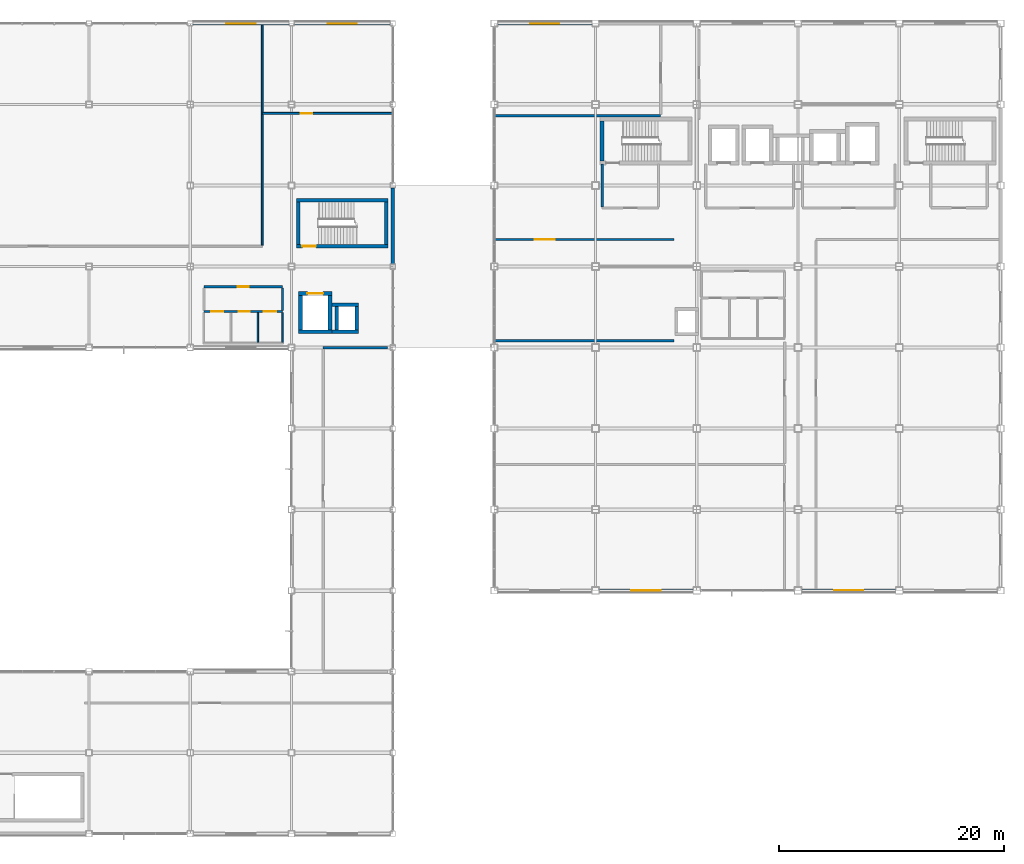
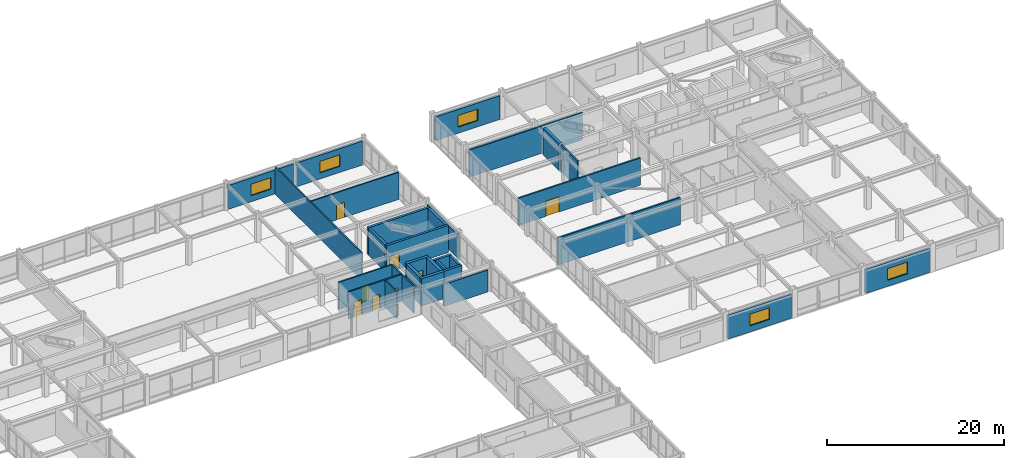
# One storey, part 97 of 113: 31 walls, 8 doors, 5 windows, 13 openings.
"""IFC4 building model written with IfcOpenShell, lengths in metres."""

from ifc_helpers import new_model, si_unit, direction, frame, frame_2d, origin, place, context, subcontext, project, spatial, rectangle, extrude, material, layer, layer_set, type_object, element, fill, save


model = new_model("IFC4")

# Units and contexts
model_context = context("Model", 3, precision=1e-05, world=origin(), true_north=direction((0.0, 1.0)))
body_context = subcontext(model_context, "Body", "Model", "MODEL_VIEW")
ifc_project = project(units=[si_unit("LENGTHUNIT", "METRE"), si_unit("AREAUNIT", "SQUARE_METRE"), si_unit("VOLUMEUNIT", "CUBIC_METRE"), si_unit("PLANEANGLEUNIT", "RADIAN"), si_unit("MASSUNIT", "GRAM", prefix="KILO")], contexts=[model_context])

# Site, building, storey
site_placement = place(None, origin())
site = spatial("IfcSite", under=ifc_project, at=site_placement, CompositionType="ELEMENT")
building_placement = place(site_placement, origin())
building = spatial("IfcBuilding", under=site, at=building_placement, Name="Kazanami Central Library", CompositionType="ELEMENT")
storey_placement = place(building_placement, frame((0.0, 0.0, 8.800048828125)))
storey = spatial("IfcBuildingStorey", under=building, at=storey_placement, Name="L03", CompositionType="ELEMENT", Elevation=8.800048828125)

# Wall
ifc_material_1 = material(Name="Concrete Fc36 (36 MPa)", Category="concrete")
ifc_layer_1 = layer(ifc_material_1, 0.219970703125, Name="Concrete Fc36 (36 MPa)")
ifc_material_2 = material(Name="Extruded Polystyrene XPS", Category="earth")
ifc_layer_2 = layer(ifc_material_2, 0.050048828125, Name="Extruded Polystyrene XPS")
ifc_material_3 = material(Name="Honed Inada Granite", Category="masonry")
ifc_layer_3 = layer(ifc_material_3, 0.030029296875, Name="Honed Inada Granite")
ifc_layer_set_1 = layer_set([ifc_layer_1, ifc_layer_2, ifc_layer_3], Name="Concrete Fc36 (36 MPa)")
wall_type_1 = type_object("IfcWallType", Name="WAL-EW-300", PredefinedType="STANDARD", material=ifc_layer_set_1)
wall_1_placement = place(storey_placement, frame((108.0, 78.97509765625, 0.0), z_axis=(0.0, 0.0, 1.0), x_axis=(0.0, -1.0, 0.0)))
element("IfcWall", 1, at=wall_1_placement, inside=storey, type_object=wall_type_1, Name="Exterior Facade Wall EW-300 L03 E-13-10", PredefinedType="STANDARD", context=body_context, shape_type="SweptSolid", body=[
    extrude(rectangle(XDim=6.75, YDim=0.300048828125, at=frame_2d((3.375, 0.0))), origin(), (0.0, 0.0, 1.0), 3.294921875),
])

# Wall, opening, window
ifc_layer_4 = layer(ifc_material_1, 0.239990234375, Name="Concrete Fc36 (36 MPa)")
ifc_layer_5 = layer(ifc_material_2, 0.050048828125, Name="Extruded Polystyrene XPS")
ifc_layer_6 = layer(ifc_material_3, 0.030029296875, Name="Honed Inada Granite")
ifc_layer_set_2 = layer_set([ifc_layer_4, ifc_layer_5, ifc_layer_6], Name="Concrete Fc36 (36 MPa)")
wall_type_2 = type_object("IfcWallType", Name="WAL-EW-320", PredefinedType="STANDARD", material=ifc_layer_set_2)
wall_2_placement = place(storey_placement, frame((126.324951171875, 43.199951171875, 0.0), z_axis=(0.0, 0.0, 1.0), x_axis=(1.0, 0.0, 0.0)))
wall_2 = element("IfcWall", 2, at=wall_2_placement, inside=storey, type_object=wall_type_2, Name="Exterior Facade Wall EW-320 L03 S-G-14", PredefinedType="STANDARD", context=body_context, shape_type="SweptSolid", body=[
    extrude(rectangle(XDim=8.35009765625, YDim=0.320068359375, at=frame_2d((4.175048828125, 0.0))), origin(), (0.0, 0.0, 1.0), 3.294921875),
])
opening_1_placement = place(wall_2_placement, frame((2.875, 0.0, 0.85009765625)))
opening_1 = element("IfcOpeningElement", 3, at=opening_1_placement, cuts=wall_2, Name="Opening WN-13", PredefinedType="OPENING", context=body_context, shape_type="SweptSolid", body=[
    extrude(rectangle(XDim=2.60009765625, YDim=1.60009765625, at=frame_2d((1.300048828125, 0.800048828125))), frame((0.0, 0.171875, 0.0), z_axis=(0.0, -1.0, 0.0), x_axis=(1.0, 0.0, 0.0)), (0.0, 0.0, 1.0), 0.343994140625),
])
ifc_material_4 = material(Name="Low-E Insulated Triple Glass", Category="glass")
window_type = type_object("IfcWindowType", Name="WIN-WN-13", PartitioningType="DOUBLE_PANEL_VERTICAL", PredefinedType="WINDOW", material=ifc_material_4)
window_1_placement = place(opening_1_placement, origin())
window_1 = element("IfcWindow", 4, at=window_1_placement, inside=storey, type_object=window_type, Name="Facade Window WN-13 L03 S-G-14", OverallHeight=1.60009765625, OverallWidth=2.60009765625, PartitioningType="DOUBLE_PANEL_VERTICAL", PredefinedType="WINDOW", context=body_context, shape_type="SweptSolid", body=[
    extrude(rectangle(XDim=2.60009765625, YDim=1.60009765625, at=frame_2d((1.300048828125, 0.800048828125))), frame((0.0, 0.030029296875, 0.0), z_axis=(0.0, -1.0, 0.0), x_axis=(1.0, 0.0, 0.0)), (0.0, 0.0, 1.0), 0.06005859375),
])
fill(opening_1, window_1)

wall_3_placement = place(storey_placement, frame((144.324951171875, 43.199951171875, 0.0), z_axis=(0.0, 0.0, 1.0), x_axis=(1.0, 0.0, 0.0)))
wall_3 = element("IfcWall", 5, at=wall_3_placement, inside=storey, type_object=wall_type_2, Name="Exterior Facade Wall EW-320 L03 S-G-16", PredefinedType="STANDARD", context=body_context, shape_type="SweptSolid", body=[
    extrude(rectangle(XDim=8.35009765625, YDim=0.320068359375, at=frame_2d((4.175048828125, 0.0))), origin(), (0.0, 0.0, 1.0), 3.294921875),
])
opening_2_placement = place(wall_3_placement, frame((2.875, 0.0, 0.85009765625)))
opening_2 = element("IfcOpeningElement", 6, at=opening_2_placement, cuts=wall_3, Name="Opening WN-13", PredefinedType="OPENING", context=body_context, shape_type="SweptSolid", body=[
    extrude(rectangle(XDim=2.60009765625, YDim=1.60009765625, at=frame_2d((1.300048828125, 0.800048828125))), frame((0.0, 0.171875, 0.0), z_axis=(0.0, -1.0, 0.0), x_axis=(1.0, 0.0, 0.0)), (0.0, 0.0, 1.0), 0.343994140625),
])
window_2_placement = place(opening_2_placement, origin())
window_2 = element("IfcWindow", 7, at=window_2_placement, inside=storey, type_object=window_type, Name="Facade Window WN-13 L03 S-G-16", OverallHeight=1.60009765625, OverallWidth=2.60009765625, PartitioningType="DOUBLE_PANEL_VERTICAL", PredefinedType="WINDOW", context=body_context, shape_type="SweptSolid", body=[
    extrude(rectangle(XDim=2.60009765625, YDim=1.60009765625, at=frame_2d((1.300048828125, 0.800048828125))), frame((0.0, 0.030029296875, 0.0), z_axis=(0.0, -1.0, 0.0), x_axis=(1.0, 0.0, 0.0)), (0.0, 0.0, 1.0), 0.06005859375),
])
fill(opening_2, window_2)

wall_4_placement = place(storey_placement, frame((98.77490234375, 93.60009765625, 0.0), z_axis=(0.0, 0.0, 1.0), x_axis=(-1.0, 0.0, 0.0)))
wall_4 = element("IfcWall", 8, at=wall_4_placement, inside=storey, type_object=wall_type_2, Name="Exterior Facade Wall EW-320 L03 N-O-10", PredefinedType="STANDARD", context=body_context, shape_type="SweptSolid", body=[
    extrude(rectangle(XDim=8.5498046875, YDim=0.320068359375, at=frame_2d((4.27490234375, 0.0))), origin(), (0.0, 0.0, 1.0), 3.294921875),
])
opening_3_placement = place(wall_4_placement, frame((2.97509765625, 0.0, 0.85009765625)))
opening_3 = element("IfcOpeningElement", 9, at=opening_3_placement, cuts=wall_4, Name="Opening WN-13", PredefinedType="OPENING", context=body_context, shape_type="SweptSolid", body=[
    extrude(rectangle(XDim=2.60009765625, YDim=1.60009765625, at=frame_2d((1.300048828125, 0.800048828125))), frame((0.0, 0.171875, 0.0), z_axis=(0.0, -1.0, 0.0), x_axis=(1.0, 0.0, 0.0)), (0.0, 0.0, 1.0), 0.343994140625),
])
window_3_placement = place(opening_3_placement, origin())
window_3 = element("IfcWindow", 10, at=window_3_placement, inside=storey, type_object=window_type, Name="Facade Window WN-13 L03 N-O-10", OverallHeight=1.60009765625, OverallWidth=2.60009765625, PartitioningType="DOUBLE_PANEL_VERTICAL", PredefinedType="WINDOW", context=body_context, shape_type="SweptSolid", body=[
    extrude(rectangle(XDim=2.60009765625, YDim=1.60009765625, at=frame_2d((1.300048828125, 0.800048828125))), frame((0.0, 0.030029296875, 0.0), z_axis=(0.0, -1.0, 0.0), x_axis=(1.0, 0.0, 0.0)), (0.0, 0.0, 1.0), 0.06005859375),
])
fill(opening_3, window_3)

wall_5_placement = place(storey_placement, frame((107.77490234375, 93.60009765625, 0.0), z_axis=(0.0, 0.0, 1.0), x_axis=(-1.0, 0.0, 0.0)))
wall_5 = element("IfcWall", 11, at=wall_5_placement, inside=storey, type_object=wall_type_2, Name="Exterior Facade Wall EW-320 L03 N-O-11", PredefinedType="STANDARD", context=body_context, shape_type="SweptSolid", body=[
    extrude(rectangle(XDim=8.5498046875, YDim=0.320068359375, at=frame_2d((4.27490234375, 0.0))), origin(), (0.0, 0.0, 1.0), 3.294921875),
])
opening_4_placement = place(wall_5_placement, frame((2.97509765625, 0.0, 0.85009765625)))
opening_4 = element("IfcOpeningElement", 12, at=opening_4_placement, cuts=wall_5, Name="Opening WN-13", PredefinedType="OPENING", context=body_context, shape_type="SweptSolid", body=[
    extrude(rectangle(XDim=2.60009765625, YDim=1.60009765625, at=frame_2d((1.300048828125, 0.800048828125))), frame((0.0, 0.171875, 0.0), z_axis=(0.0, -1.0, 0.0), x_axis=(1.0, 0.0, 0.0)), (0.0, 0.0, 1.0), 0.343994140625),
])
window_4_placement = place(opening_4_placement, origin())
window_4 = element("IfcWindow", 13, at=window_4_placement, inside=storey, type_object=window_type, Name="Facade Window WN-13 L03 N-O-11", OverallHeight=1.60009765625, OverallWidth=2.60009765625, PartitioningType="DOUBLE_PANEL_VERTICAL", PredefinedType="WINDOW", context=body_context, shape_type="SweptSolid", body=[
    extrude(rectangle(XDim=2.60009765625, YDim=1.60009765625, at=frame_2d((1.300048828125, 0.800048828125))), frame((0.0, 0.030029296875, 0.0), z_axis=(0.0, -1.0, 0.0), x_axis=(1.0, 0.0, 0.0)), (0.0, 0.0, 1.0), 0.06005859375),
])
fill(opening_4, window_4)

wall_6_placement = place(storey_placement, frame((125.699951171875, 93.60009765625, 0.0), z_axis=(0.0, 0.0, 1.0), x_axis=(-1.0, 0.0, 0.0)))
wall_6 = element("IfcWall", 14, at=wall_6_placement, inside=storey, type_object=wall_type_2, Name="Exterior Facade Wall EW-320 L03 N-O-13", PredefinedType="STANDARD", context=body_context, shape_type="SweptSolid", body=[
    extrude(rectangle(XDim=8.39990234375, YDim=0.320068359375, at=frame_2d((4.199951171875, 0.0))), origin(), (0.0, 0.0, 1.0), 3.294921875),
])
opening_5_placement = place(wall_6_placement, frame((2.89990234375, 0.0, 0.85009765625)))
opening_5 = element("IfcOpeningElement", 15, at=opening_5_placement, cuts=wall_6, Name="Opening WN-13", PredefinedType="OPENING", context=body_context, shape_type="SweptSolid", body=[
    extrude(rectangle(XDim=2.60009765625, YDim=1.60009765625, at=frame_2d((1.300048828125, 0.800048828125))), frame((0.0, 0.171875, 0.0), z_axis=(0.0, -1.0, 0.0), x_axis=(1.0, 0.0, 0.0)), (0.0, 0.0, 1.0), 0.343994140625),
])
window_5_placement = place(opening_5_placement, origin())
window_5 = element("IfcWindow", 16, at=window_5_placement, inside=storey, type_object=window_type, Name="Facade Window WN-13 L03 N-O-13", OverallHeight=1.60009765625, OverallWidth=2.60009765625, PartitioningType="DOUBLE_PANEL_VERTICAL", PredefinedType="WINDOW", context=body_context, shape_type="SweptSolid", body=[
    extrude(rectangle(XDim=2.60009765625, YDim=1.60009765625, at=frame_2d((1.300048828125, 0.800048828125))), frame((0.0, 0.030029296875, 0.0), z_axis=(0.0, -1.0, 0.0), x_axis=(1.0, 0.0, 0.0)), (0.0, 0.0, 1.0), 0.06005859375),
])
fill(opening_5, window_5)

# Wall
ifc_material_5 = material(Name="Fire-Resistant Gypsum Board GB-F", Category="gypsum")
ifc_layer_7 = layer(ifc_material_5, 0.1650390625, Name="Fire-Resistant Gypsum Board GB-F")
ifc_layer_set_3 = layer_set([ifc_layer_7], Name="Fire-Resistant Gypsum Board GB-F")
wall_type_3 = type_object("IfcWallType", Name="WAL-FW-165", PredefinedType="PARTITIONING", material=ifc_layer_set_3)
wall_7_placement = place(storey_placement, frame((96.39990234375, 73.889892578125, 0.0), z_axis=(0.0, 0.0, 1.0), x_axis=(0.0, 1.0, 0.0)))
element("IfcWall", 17, at=wall_7_placement, inside=storey, type_object=wall_type_3, Name="Interior Partition FW-165 L03 RM-30 (East)", PredefinedType="PARTITIONING", context=body_context, shape_type="SweptSolid", body=[
    extrude(rectangle(XDim=19.545166015625, YDim=0.1650390625, at=frame_2d((9.7724609375, 0.0))), origin(), (0.0, 0.0, 1.0), 3.744873046875),
])

# Wall, opening, door
wall_8_placement = place(storey_placement, frame((96.39990234375, 85.60009765625, 0.0), z_axis=(0.0, 0.0, 1.0), x_axis=(1.0, 0.0, 0.0)))
wall_8 = element("IfcWall", 18, at=wall_8_placement, inside=storey, type_object=wall_type_3, Name="Interior Partition FW-165 L03 RM-32 (South)", PredefinedType="PARTITIONING", context=body_context, shape_type="SweptSolid", body=[
    extrude(rectangle(XDim=11.565185546875, YDim=0.1650390625, at=frame_2d((5.78271484375, 0.0))), origin(), (0.0, 0.0, 1.0), 3.744873046875),
])
opening_6_placement = place(wall_8_placement, frame((3.39990234375, 0.0, 0.0)))
opening_6 = element("IfcOpeningElement", 19, at=opening_6_placement, cuts=wall_8, Name="Opening FD30-1", PredefinedType="OPENING", context=body_context, shape_type="SweptSolid", body=[
    extrude(rectangle(XDim=1.050048828125, YDim=2.10009765625, at=frame_2d((0.52490234375, 1.050048828125))), frame((0.0, 0.094482421875, 0.0), z_axis=(0.0, -1.0, 0.0), x_axis=(1.0, 0.0, 0.0)), (0.0, 0.0, 1.0), 0.18896484375),
])
ifc_material_6 = material(Name="Cold-Rolled Steel SPCC", Category="steel")
door_type_1 = type_object("IfcDoorType", Name="DOR-FD30-1", OperationType="NOTDEFINED", PredefinedType="DOOR", material=ifc_material_6)
door_1_placement = place(opening_6_placement, origin())
door_1 = element("IfcDoor", 20, at=door_1_placement, inside=storey, type_object=door_type_1, Name="Interior Door FD30-1 L03 RM-32", OperationType="SINGLE_SWING_LEFT", OverallHeight=2.10009765625, OverallWidth=1.050048828125, PredefinedType="DOOR", context=body_context, shape_type="SweptSolid", body=[
    extrude(rectangle(XDim=1.050048828125, YDim=2.10009765625, at=frame_2d((0.52490234375, 1.050048828125))), frame((0.0, 0.02490234375, 0.0), z_axis=(0.0, -1.0, 0.0), x_axis=(1.0, 0.0, 0.0)), (0.0, 0.0, 1.0), 0.050048828125),
])
fill(opening_6, door_1)

# Wall, openings, doors
ifc_layer_8 = layer(ifc_material_5, 0.179931640625, Name="Fire-Resistant Gypsum Board GB-F")
ifc_layer_set_4 = layer_set([ifc_layer_8], Name="Fire-Resistant Gypsum Board GB-F")
wall_type_4 = type_object("IfcWallType", Name="WAL-FW-180", PredefinedType="PARTITIONING", material=ifc_layer_set_4)
wall_9_placement = place(storey_placement, frame((91.199951171875, 68.0, 0.0), z_axis=(0.0, 0.0, 1.0), x_axis=(1.0, 0.0, 0.0)))
wall_9 = element("IfcWall", 21, at=wall_9_placement, inside=storey, type_object=wall_type_4, Name="Interior Partition FW-180 L03 WC-V1-LOB (South)", PredefinedType="PARTITIONING", context=body_context, shape_type="SweptSolid", body=[
    extrude(rectangle(XDim=7.0, YDim=0.179931640625, at=frame_2d((3.5, 0.0))), origin(), (0.0, 0.0, 1.0), 3.744873046875),
])
opening_7_placement = place(wall_9_placement, frame((0.675048828125, 0.0, 0.0)))
opening_7 = element("IfcOpeningElement", 22, at=opening_7_placement, cuts=wall_9, Name="Opening FD30-1", PredefinedType="OPENING", context=body_context, shape_type="SweptSolid", body=[
    extrude(rectangle(XDim=1.050048828125, YDim=2.10009765625, at=frame_2d((0.52490234375, 1.050048828125))), frame((0.0, 0.10205078125, 0.0), z_axis=(0.0, -1.0, 0.0), x_axis=(1.0, 0.0, 0.0)), (0.0, 0.0, 1.0), 0.203857421875),
])
opening_8_placement = place(wall_9_placement, frame((3.110107421875, 0.0, 0.0)))
opening_8 = element("IfcOpeningElement", 23, at=opening_8_placement, cuts=wall_9, Name="Opening FD30-3", PredefinedType="OPENING", context=body_context, shape_type="SweptSolid", body=[
    extrude(rectangle(XDim=0.97998046875, YDim=2.02001953125, at=frame_2d((0.489990234375, 1.010009765625))), frame((0.0, 0.10205078125, 0.0), z_axis=(0.0, -1.0, 0.0), x_axis=(1.0, 0.0, 0.0)), (0.0, 0.0, 1.0), 0.203857421875),
])
opening_9_placement = place(wall_9_placement, frame((5.340087890625, 0.0, 0.0)))
opening_9 = element("IfcOpeningElement", 24, at=opening_9_placement, cuts=wall_9, Name="Opening FD30-8", PredefinedType="OPENING", context=body_context, shape_type="SweptSolid", body=[
    extrude(rectangle(XDim=1.1201171875, YDim=2.080078125, at=frame_2d((0.56005859375, 1.0400390625))), frame((0.0, 0.10205078125, 0.0), z_axis=(0.0, -1.0, 0.0), x_axis=(1.0, 0.0, 0.0)), (0.0, 0.0, 1.0), 0.203857421875),
])
door_2_placement = place(opening_7_placement, origin())
door_2 = element("IfcDoor", 25, at=door_2_placement, inside=storey, type_object=door_type_1, Name="Interior Door FD30-1 L03 WC-V1-M", OperationType="SINGLE_SWING_LEFT", OverallHeight=2.10009765625, OverallWidth=1.050048828125, PredefinedType="DOOR", context=body_context, shape_type="SweptSolid", body=[
    extrude(rectangle(XDim=1.050048828125, YDim=2.10009765625, at=frame_2d((0.52490234375, 1.050048828125))), frame((0.0, 0.02490234375, 0.0), z_axis=(0.0, -1.0, 0.0), x_axis=(1.0, 0.0, 0.0)), (0.0, 0.0, 1.0), 0.050048828125),
])
fill(opening_7, door_2)
door_type_2 = type_object("IfcDoorType", Name="DOR-FD30-3", OperationType="NOTDEFINED", PredefinedType="DOOR", material=ifc_material_6)
door_3_placement = place(opening_8_placement, origin())
door_3 = element("IfcDoor", 26, at=door_3_placement, inside=storey, type_object=door_type_2, Name="Interior Door FD30-3 L03 WC-V1-F", OperationType="SINGLE_SWING_RIGHT", OverallHeight=2.02001953125, OverallWidth=0.97998046875, PredefinedType="DOOR", context=body_context, shape_type="SweptSolid", body=[
    extrude(rectangle(XDim=0.97998046875, YDim=2.02001953125, at=frame_2d((0.489990234375, 1.010009765625))), frame((0.0, 0.02490234375, 0.0), z_axis=(0.0, -1.0, 0.0), x_axis=(1.0, 0.0, 0.0)), (0.0, 0.0, 1.0), 0.050048828125),
])
fill(opening_8, door_3)
door_type_3 = type_object("IfcDoorType", Name="DOR-FD30-8", OperationType="NOTDEFINED", PredefinedType="DOOR", material=ifc_material_6)
door_4_placement = place(opening_9_placement, origin())
door_4 = element("IfcDoor", 27, at=door_4_placement, inside=storey, type_object=door_type_3, Name="Interior Door FD30-8 L03 WC-V1-ACC", OperationType="SINGLE_SWING_LEFT", OverallHeight=2.080078125, OverallWidth=1.1201171875, PredefinedType="DOOR", context=body_context, shape_type="SweptSolid", body=[
    extrude(rectangle(XDim=1.1201171875, YDim=2.080078125, at=frame_2d((0.56005859375, 1.0400390625))), frame((0.0, 0.02490234375, 0.0), z_axis=(0.0, -1.0, 0.0), x_axis=(1.0, 0.0, 0.0)), (0.0, 0.0, 1.0), 0.050048828125),
])
fill(opening_9, door_4)

# Wall, opening, door
wall_10_placement = place(storey_placement, frame((91.199951171875, 70.199951171875, 0.0), z_axis=(0.0, 0.0, 1.0), x_axis=(1.0, 0.0, 0.0)))
wall_10 = element("IfcWall", 28, at=wall_10_placement, inside=storey, type_object=wall_type_4, Name="Interior Partition FW-180 L03 WC-V1-LOB (North)", PredefinedType="PARTITIONING", context=body_context, shape_type="SweptSolid", body=[
    extrude(rectangle(XDim=7.0, YDim=0.179931640625, at=frame_2d((3.5, 0.0))), origin(), (0.0, 0.0, 1.0), 3.744873046875),
])
opening_10_placement = place(wall_10_placement, frame((3.010009765625, 0.0, 0.0)))
opening_10 = element("IfcOpeningElement", 29, at=opening_10_placement, cuts=wall_10, Name="Opening FD30-3", PredefinedType="OPENING", context=body_context, shape_type="SweptSolid", body=[
    extrude(rectangle(XDim=0.97998046875, YDim=2.02001953125, at=frame_2d((0.489990234375, 1.010009765625))), frame((0.0, 0.10205078125, 0.0), z_axis=(0.0, -1.0, 0.0), x_axis=(1.0, 0.0, 0.0)), (0.0, 0.0, 1.0), 0.203857421875),
])
door_5_placement = place(opening_10_placement, origin())
door_5 = element("IfcDoor", 30, at=door_5_placement, inside=storey, type_object=door_type_2, Name="Interior Door FD30-3 L03 WC-V1-LOB", OperationType="SINGLE_SWING_RIGHT", OverallHeight=2.02001953125, OverallWidth=0.97998046875, PredefinedType="DOOR", context=body_context, shape_type="SweptSolid", body=[
    extrude(rectangle(XDim=0.97998046875, YDim=2.02001953125, at=frame_2d((0.489990234375, 1.010009765625))), frame((0.0, 0.02490234375, 0.0), z_axis=(0.0, -1.0, 0.0), x_axis=(1.0, 0.0, 0.0)), (0.0, 0.0, 1.0), 0.050048828125),
])
fill(opening_10, door_5)

# Walls
wall_11_placement = place(storey_placement, frame((98.199951171875, 68.090087890625, 0.0), z_axis=(0.0, 0.0, 1.0), x_axis=(0.0, 1.0, 0.0)))
element("IfcWall", 31, at=wall_11_placement, inside=storey, type_object=wall_type_4, Name="Interior Partition FW-180 L03 WC-V1-LOB (East)", PredefinedType="PARTITIONING", context=body_context, shape_type="SweptSolid", body=[
    extrude(rectangle(XDim=2.02001953125, YDim=0.179931640625, at=frame_2d((1.010009765625, 0.0))), origin(), (0.0, 0.0, 1.0), 3.744873046875),
])
ifc_layer_9 = layer(ifc_material_5, 0.199951171875, Name="Fire-Resistant Gypsum Board GB-F")
ifc_layer_set_5 = layer_set([ifc_layer_9], Name="Fire-Resistant Gypsum Board GB-F")
wall_type_5 = type_object("IfcWallType", Name="WAL-FW-200", PredefinedType="PARTITIONING", material=ifc_layer_set_5)
wall_12_placement = place(storey_placement, frame((126.60009765625, 77.2900390625, 0.0), z_axis=(0.0, 0.0, 1.0), x_axis=(0.0, 1.0, 0.0)))
element("IfcWall", 32, at=wall_12_placement, inside=storey, type_object=wall_type_5, Name="Interior Partition FW-200 L03 VEST-ST-01 (West)", PredefinedType="PARTITIONING", context=body_context, shape_type="SweptSolid", body=[
    extrude(rectangle(XDim=3.820068359375, YDim=0.199951171875, at=frame_2d((1.91015625, 0.0))), origin(), (0.0, 0.0, 1.0), 3.744873046875),
])
wall_13_placement = place(storey_placement, frame((117.034912109375, 65.39990234375, 0.0), z_axis=(0.0, 0.0, 1.0), x_axis=(1.0, 0.0, 0.0)))
element("IfcWall", 33, at=wall_13_placement, inside=storey, type_object=wall_type_5, Name="Interior Partition FW-200 L03 RM-39 (South)", PredefinedType="PARTITIONING", context=body_context, shape_type="SweptSolid", body=[
    extrude(rectangle(XDim=15.965087890625, YDim=0.199951171875, at=frame_2d((7.982421875, 0.0))), origin(), (0.0, 0.0, 1.0), 3.744873046875),
])

# Wall, opening, door
wall_14_placement = place(storey_placement, frame((117.034912109375, 74.39990234375, 0.0), z_axis=(0.0, 0.0, 1.0), x_axis=(1.0, 0.0, 0.0)))
wall_14 = element("IfcWall", 34, at=wall_14_placement, inside=storey, type_object=wall_type_5, Name="Interior Partition FW-200 L03 RM-39 (North)", PredefinedType="PARTITIONING", context=body_context, shape_type="SweptSolid", body=[
    extrude(rectangle(XDim=15.965087890625, YDim=0.199951171875, at=frame_2d((7.982421875, 0.0))), origin(), (0.0, 0.0, 1.0), 3.744873046875),
])
opening_11_placement = place(wall_14_placement, frame((3.590087890625, 0.0, 0.0)))
opening_11 = element("IfcOpeningElement", 35, at=opening_11_placement, cuts=wall_14, Name="Opening FD60-5", PredefinedType="OPENING", context=body_context, shape_type="SweptSolid", body=[
    extrude(rectangle(XDim=1.75, YDim=2.1201171875, at=frame_2d((0.875, 1.06005859375))), frame((0.0, 0.11181640625, 0.0), z_axis=(0.0, -1.0, 0.0), x_axis=(1.0, 0.0, 0.0)), (0.0, 0.0, 1.0), 0.223876953125),
])
door_type_4 = type_object("IfcDoorType", Name="DOR-FD60-5", OperationType="DOUBLE_DOOR_SINGLE_SWING", PredefinedType="DOOR", material=ifc_material_6)
door_6_placement = place(opening_11_placement, origin())
door_6 = element("IfcDoor", 36, at=door_6_placement, inside=storey, type_object=door_type_4, Name="Interior Door FD60-5 L03 RM-39", OperationType="DOUBLE_DOOR_SINGLE_SWING", OverallHeight=2.1201171875, OverallWidth=1.75, PredefinedType="DOOR", context=body_context, shape_type="SweptSolid", body=[
    extrude(rectangle(XDim=1.75, YDim=2.1201171875, at=frame_2d((0.875, 1.06005859375))), frame((0.0, 0.02490234375, 0.0), z_axis=(0.0, -1.0, 0.0), x_axis=(1.0, 0.0, 0.0)), (0.0, 0.0, 1.0), 0.050048828125),
])
fill(opening_11, door_6)

# Walls
wall_15_placement = place(storey_placement, frame((117.034912109375, 85.39990234375, 0.0), z_axis=(0.0, 0.0, 1.0), x_axis=(1.0, 0.0, 0.0)))
element("IfcWall", 37, at=wall_15_placement, inside=storey, type_object=wall_type_5, Name="Interior Partition FW-200 L03 RM-41 (South)", PredefinedType="PARTITIONING", context=body_context, shape_type="SweptSolid", body=[
    extrude(rectangle(XDim=14.76513671875, YDim=0.199951171875, at=frame_2d((7.382568359375, 0.0))), origin(), (0.0, 0.0, 1.0), 3.744873046875),
])
ifc_layer_10 = layer(ifc_material_5, 0.219970703125, Name="Fire-Resistant Gypsum Board GB-F")
ifc_layer_set_6 = layer_set([ifc_layer_10], Name="Fire-Resistant Gypsum Board GB-F")
wall_type_6 = type_object("IfcWallType", Name="WAL-FW-220", PredefinedType="PARTITIONING", material=ifc_layer_set_6)
wall_16_placement = place(storey_placement, frame((101.800048828125, 64.800048828125, 0.0), z_axis=(0.0, 0.0, 1.0), x_axis=(1.0, 0.0, 0.0)))
element("IfcWall", 38, at=wall_16_placement, inside=storey, type_object=wall_type_6, Name="Interior Partition FW-220 L03 RM-28 (North)", PredefinedType="PARTITIONING", context=body_context, shape_type="SweptSolid", body=[
    extrude(rectangle(XDim=5.744873046875, YDim=0.219970703125, at=frame_2d((2.87255859375, 0.0))), origin(), (0.0, 0.0, 1.0), 3.02490234375),
])
ifc_material_7 = material(Name="Gypsum Plasterboard GB-R", Category="gypsum")
ifc_layer_11 = layer(ifc_material_7, 0.125, Name="Gypsum Plasterboard GB-R")
ifc_layer_set_7 = layer_set([ifc_layer_11], Name="Gypsum Plasterboard GB-R")
wall_type_7 = type_object("IfcWallType", Name="WAL-PW-125", PredefinedType="PARTITIONING", material=ifc_layer_set_7)
for number, where, z_axis, x_axis, name in (
    (39, (96.0, 65.2548828125, 0.0), (0.0, 0.0, 1.0), (0.0, 1.0, 0.0), "Interior Partition PW-125 L03 WC-V1-F (East)"),
    (40, (98.199951171875, 65.2548828125, 0.0), (0.0, 0.0, 1.0), (0.0, 1.0, 0.0), "Interior Partition PW-125 L03 WC-V1-ACC (East)"),
):
    element("IfcWall", number, at=place(storey_placement, frame(where, z_axis=z_axis, x_axis=x_axis)), inside=storey, type_object=wall_type_7, Name=name, PredefinedType="PARTITIONING", context=body_context, shape_type="SweptSolid", body=[
        extrude(rectangle(XDim=2.655029296875, YDim=0.125, at=frame_2d((1.32763671875, 0.0))), origin(), (0.0, 0.0, 1.0), 3.744873046875),
    ])

# Wall, opening, door
ifc_layer_12 = layer(ifc_material_1, 0.300048828125, Name="Concrete Fc36 (36 MPa)")
ifc_layer_set_8 = layer_set([ifc_layer_12], Name="Concrete Fc36 (36 MPa)")
wall_type_8 = type_object("IfcWallType", Name="WAL-SW-300", PredefinedType="SHEAR", material=ifc_layer_set_8)
wall_17_placement = place(storey_placement, frame((99.449951171875, 73.800048828125, 0.0), z_axis=(0.0, 0.0, 1.0), x_axis=(1.0, 0.0, 0.0)))
wall_17 = element("IfcWall", 41, at=wall_17_placement, inside=storey, type_object=wall_type_8, Name="Stair Core Wall ST-04 South L03", PredefinedType="SHEAR", context=body_context, shape_type="SweptSolid", body=[
    extrude(rectangle(XDim=8.10009765625, YDim=0.300048828125, at=frame_2d((4.050048828125, 0.0))), origin(), (0.0, 0.0, 1.0), 3.744873046875),
])
opening_12_placement = place(wall_17_placement, frame((0.5, 0.0, 0.0)))
opening_12 = element("IfcOpeningElement", 42, at=opening_12_placement, cuts=wall_17, Name="Opening FD60-1", PredefinedType="OPENING", context=body_context, shape_type="SweptSolid", body=[
    extrude(rectangle(XDim=1.199951171875, YDim=2.10009765625, at=frame_2d((0.60009765625, 1.050048828125))), frame((0.0, 0.162109375, 0.0), z_axis=(0.0, -1.0, 0.0), x_axis=(1.0, 0.0, 0.0)), (0.0, 0.0, 1.0), 0.323974609375),
])
door_type_5 = type_object("IfcDoorType", Name="DOR-FD60-1", OperationType="NOTDEFINED", PredefinedType="DOOR", material=ifc_material_6)
door_7_placement = place(opening_12_placement, origin())
door_7 = element("IfcDoor", 43, at=door_7_placement, inside=storey, type_object=door_type_5, Name="Escape Stair ST-04 Fire Door L03", OperationType="SINGLE_SWING_LEFT", OverallHeight=2.10009765625, OverallWidth=1.199951171875, PredefinedType="DOOR", context=body_context, shape_type="SweptSolid", body=[
    extrude(rectangle(XDim=1.199951171875, YDim=2.10009765625, at=frame_2d((0.60009765625, 1.050048828125))), frame((0.0, 0.02490234375, 0.0), z_axis=(0.0, -1.0, 0.0), x_axis=(1.0, 0.0, 0.0)), (0.0, 0.0, 1.0), 0.050048828125),
])
fill(opening_12, door_7)

# Walls
wall_18_placement = place(storey_placement, frame((99.449951171875, 77.89990234375, 0.0), z_axis=(0.0, 0.0, 1.0), x_axis=(1.0, 0.0, 0.0)))
element("IfcWall", 44, at=wall_18_placement, inside=storey, type_object=wall_type_8, Name="Stair Core Wall ST-04 North L03", PredefinedType="SHEAR", context=body_context, shape_type="SweptSolid", body=[
    extrude(rectangle(XDim=8.10009765625, YDim=0.300048828125, at=frame_2d((4.050048828125, 0.0))), origin(), (0.0, 0.0, 1.0), 3.744873046875),
])
for number, where, z_axis, x_axis, name in (
    (45, (99.60009765625, 73.949951171875, 0.0), (0.0, 0.0, 1.0), (0.0, 1.0, 0.0), "Stair Core Wall ST-04 West L03"),
    (46, (107.39990234375, 73.949951171875, 0.0), (0.0, 0.0, 1.0), (0.0, 1.0, 0.0), "Stair Core Wall ST-04 East L03"),
):
    element("IfcWall", number, at=place(storey_placement, frame(where, z_axis=z_axis, x_axis=x_axis)), inside=storey, type_object=wall_type_8, Name=name, PredefinedType="SHEAR", context=body_context, shape_type="SweptSolid", body=[
        extrude(rectangle(XDim=3.800048828125, YDim=0.300048828125, at=frame_2d((1.89990234375, 0.0))), origin(), (0.0, 0.0, 1.0), 3.744873046875),
    ])
for number, where, z_axis, x_axis, name in (
    (47, (102.574951171875, 66.199951171875, 0.0), (0.0, 0.0, 1.0), (1.0, 0.0, 0.0), "Service Riser Wall RSR-V1-B S L03"),
    (48, (102.574951171875, 68.60009765625, 0.0), (0.0, 0.0, 1.0), (1.0, 0.0, 0.0), "Service Riser Wall RSR-V1-B N L03"),
):
    element("IfcWall", number, at=place(storey_placement, frame(where, z_axis=z_axis, x_axis=x_axis)), inside=storey, type_object=wall_type_8, Name=name, PredefinedType="SHEAR", context=body_context, shape_type="SweptSolid", body=[
        extrude(rectangle(XDim=2.375, YDim=0.300048828125, at=frame_2d((1.1875, 0.0))), origin(), (0.0, 0.0, 1.0), 3.744873046875),
    ])
for number, where, z_axis, x_axis, name in (
    (49, (103.0, 66.35009765625, 0.0), (0.0, 0.0, 1.0), (0.0, 1.0, 0.0), "Service Riser Wall RSR-V1-B W L03"),
    (50, (104.800048828125, 66.35009765625, 0.0), (0.0, 0.0, 1.0), (0.0, 1.0, 0.0), "Service Riser Wall RSR-V1-B E L03"),
):
    element("IfcWall", number, at=place(storey_placement, frame(where, z_axis=z_axis, x_axis=x_axis)), inside=storey, type_object=wall_type_8, Name=name, PredefinedType="SHEAR", context=body_context, shape_type="SweptSolid", body=[
        extrude(rectangle(XDim=2.099853515625, YDim=0.300048828125, at=frame_2d((1.0498046875, 0.0))), origin(), (0.0, 0.0, 1.0), 3.744873046875),
    ])
ifc_layer_13 = layer(ifc_material_1, 0.35009765625, Name="Concrete Fc36 (36 MPa)")
ifc_layer_set_9 = layer_set([ifc_layer_13], Name="Concrete Fc36 (36 MPa)")
wall_type_9 = type_object("IfcWallType", Name="WAL-SW-350", PredefinedType="SHEAR", material=ifc_layer_set_9)
wall_19_placement = place(storey_placement, frame((126.60009765625, 81.375, 0.0), z_axis=(0.0, 0.0, 1.0), x_axis=(0.0, 1.0, 0.0)))
element("IfcWall", 51, at=wall_19_placement, inside=storey, type_object=wall_type_9, Name="Stair Core Wall ST-01 West L03", PredefinedType="SHEAR", context=body_context, shape_type="SweptSolid", body=[
    extrude(rectangle(XDim=3.550048828125, YDim=0.35009765625, at=frame_2d((1.77490234375, 0.0))), origin(), (0.0, 0.0, 1.0), 3.744873046875),
])
wall_20_placement = place(storey_placement, frame((99.625, 66.199951171875, 0.0), z_axis=(0.0, 0.0, 1.0), x_axis=(1.0, 0.0, 0.0)))
element("IfcWall", 52, at=wall_20_placement, inside=storey, type_object=wall_type_9, Name="Lift Shaft Wall EL-S2 South L03", PredefinedType="SHEAR", context=body_context, shape_type="SweptSolid", body=[
    extrude(rectangle(XDim=2.949951171875, YDim=0.35009765625, at=frame_2d((1.47509765625, 0.0))), origin(), (0.0, 0.0, 1.0), 3.744873046875),
])

# Wall, opening, door
wall_21_placement = place(storey_placement, frame((99.625, 69.60009765625, 0.0), z_axis=(0.0, 0.0, 1.0), x_axis=(1.0, 0.0, 0.0)))
wall_21 = element("IfcWall", 53, at=wall_21_placement, inside=storey, type_object=wall_type_9, Name="Lift Shaft Wall EL-S2 North L03", PredefinedType="SHEAR", context=body_context, shape_type="SweptSolid", body=[
    extrude(rectangle(XDim=2.949951171875, YDim=0.35009765625, at=frame_2d((1.47509765625, 0.0))), origin(), (0.0, 0.0, 1.0), 3.744873046875),
])
opening_13_placement = place(wall_21_placement, frame((0.77490234375, 0.0, 0.0)))
opening_13 = element("IfcOpeningElement", 54, at=opening_13_placement, cuts=wall_21, Name="Opening LD-03", PredefinedType="OPENING", context=body_context, shape_type="SweptSolid", body=[
    extrude(rectangle(XDim=1.39990234375, YDim=2.14990234375, at=frame_2d((0.699951171875, 1.074951171875))), frame((0.0, 0.18701171875, 0.0), z_axis=(0.0, -1.0, 0.0), x_axis=(1.0, 0.0, 0.0)), (0.0, 0.0, 1.0), 0.3740234375),
])
ifc_material_8 = material(Name="Stainless Steel SUS304", Category="steel")
door_type_6 = type_object("IfcDoorType", Name="DOR-LD-03", OperationType="SLIDING_TO_LEFT", PredefinedType="DOOR", material=ifc_material_8)
door_8_placement = place(opening_13_placement, origin())
door_8 = element("IfcDoor", 55, at=door_8_placement, inside=storey, type_object=door_type_6, Name="Lift Landing Sliding Door EL-S2 (L03)", OperationType="SLIDING_TO_RIGHT", OverallHeight=2.14990234375, OverallWidth=1.39990234375, PredefinedType="DOOR", context=body_context, shape_type="SweptSolid", body=[
    extrude(rectangle(XDim=1.39990234375, YDim=2.14990234375, at=frame_2d((0.699951171875, 1.074951171875))), frame((0.0, 0.02490234375, 0.0), z_axis=(0.0, -1.0, 0.0), x_axis=(1.0, 0.0, 0.0)), (0.0, 0.0, 1.0), 0.050048828125),
])
fill(opening_13, door_8)

# Walls
for number, where, z_axis, x_axis, name in (
    (56, (99.800048828125, 66.375, 0.0), (0.0, 0.0, 1.0), (0.0, 1.0, 0.0), "Lift Shaft Wall EL-S2 West L03"),
    (57, (102.39990234375, 66.375, 0.0), (0.0, 0.0, 1.0), (0.0, 1.0, 0.0), "Lift Shaft Wall EL-S2 East L03"),
):
    element("IfcWall", number, at=place(storey_placement, frame(where, z_axis=z_axis, x_axis=x_axis)), inside=storey, type_object=wall_type_9, Name=name, PredefinedType="SHEAR", context=body_context, shape_type="SweptSolid", body=[
        extrude(rectangle(XDim=3.050048828125, YDim=0.35009765625, at=frame_2d((1.52490234375, 0.0))), origin(), (0.0, 0.0, 1.0), 3.744873046875),
    ])

save(model, "model.ifc")
